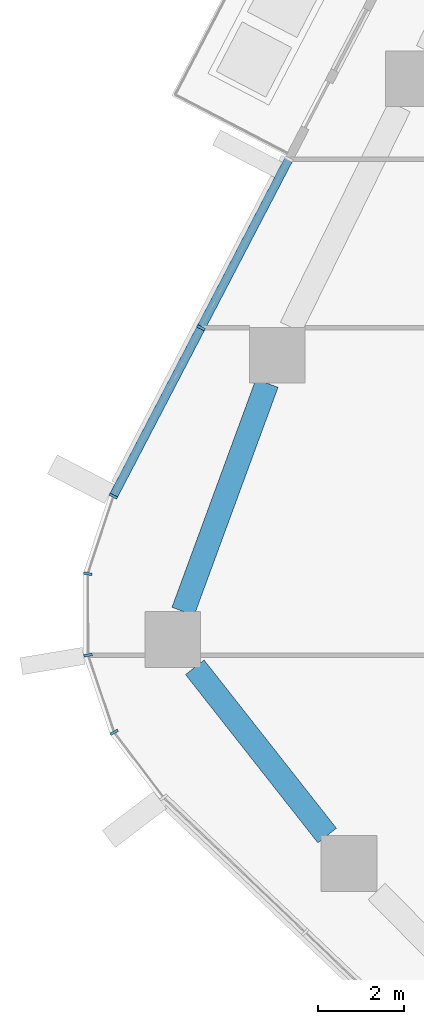
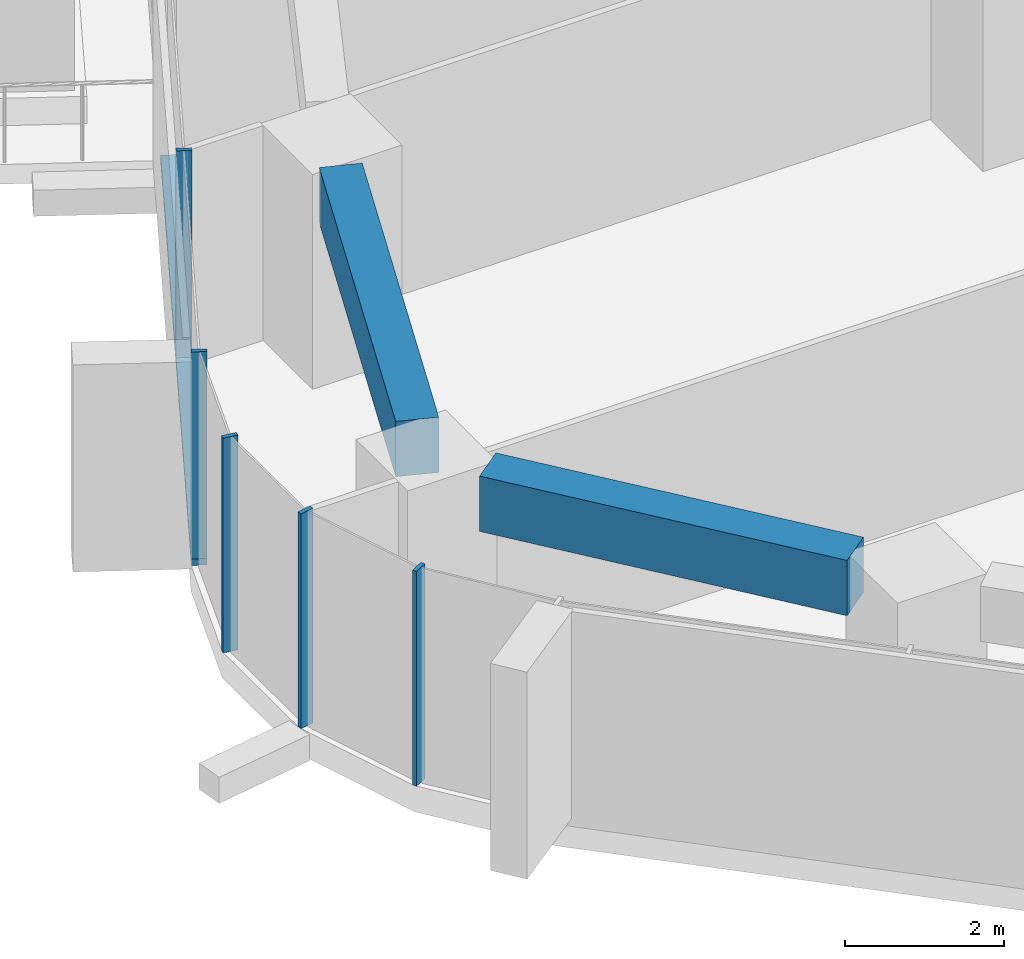
# One storey, part 3 of 23: 6 members, 2 beams, 2 elements without a shape of their own.
"""IFC4 building model written with IfcOpenShell, lengths in metres."""

from ifc_helpers import new_model, si_unit, direction, frame, origin, origin_2d, place, context, subcontext, project, spatial, rectangle, extrude, material, layer, layer_set, material_profile, profile_set, type_object, element, aggregate, save


model = new_model("IFC4")

# Units and contexts
model_context = context("Model", 3, precision=1e-05, world=origin(), true_north=direction((0.0, 1.0)))
body_context = subcontext(model_context, "Body", "Model", "MODEL_VIEW")
ifc_project = project(units=[si_unit("LENGTHUNIT", "METRE"), si_unit("AREAUNIT", "SQUARE_METRE"), si_unit("VOLUMEUNIT", "CUBIC_METRE"), si_unit("PLANEANGLEUNIT", "RADIAN"), si_unit("MASSUNIT", "GRAM", prefix="KILO")], contexts=[model_context])

# Site, building, storey
site_placement = place(None, origin())
site = spatial("IfcSite", under=ifc_project, at=site_placement, CompositionType="ELEMENT")
building_placement = place(site_placement, origin())
building = spatial("IfcBuilding", under=site, at=building_placement, Name="Dongbaek Canopy Tower", CompositionType="ELEMENT")
storey_placement = place(building_placement, frame((0.0, 0.0, 132.199951171875)))
storey = spatial("IfcBuildingStorey", under=building, at=storey_placement, Name="L29", CompositionType="ELEMENT", Elevation=132.199951171875)

# Curtain wall, members
ifc_material_1 = material(Name="Aluminium 6063-T6 pale anodised", Category="aluminium")
ifc_layer = layer(ifc_material_1, 0.199951171875)
ifc_layer_set = layer_set([ifc_layer], Name="CW-1 unitised tower curtain wall")
curtain_wall_type = type_object("IfcCurtainWallType", Name="CW-1 unitised tower curtain wall", PredefinedType="NOTDEFINED", material=ifc_layer_set)
curtain_wall_1_placement = place(storey_placement, origin())
curtain_wall_1 = element("IfcCurtainWall", 1, at=curtain_wall_1_placement, inside=storey, type_object=curtain_wall_type, Name="CW-1 curtain wall F2.1", PredefinedType="NOTDEFINED")
ifc_material_2 = material(Name="Aluminium 6063-T6 pale anodised", Category="aluminium")
ifc_material_profile_1 = material_profile(ifc_material_2, rectangle(XDim=0.199951171875, YDim=0.06005859375, at=origin_2d()), Name="CW-1 mullion 60 x 200")
ifc_profile_set_1 = profile_set([ifc_material_profile_1], Name="Aluminium 6063-T6 pale anodised")
member_type_1 = type_object("IfcMemberType", Name="CW-1 mullion 60 x 200", PredefinedType="MULLION", material=ifc_profile_set_1)
member_1_placement = place(storey_placement, frame((-29.468017578125, 0.722900390625, 0.1201171875), z_axis=(0.0, 0.0, 1.0), x_axis=(-0.886926731215, 0.461910135693, 0.0)))
member_1 = element("IfcMember", 2, at=member_1_placement, type_object=member_type_1, Name="CW-1 mullion F2.1.2", PredefinedType="MULLION", context=body_context, shape_type="SweptSolid", body=[
    extrude(rectangle(XDim=0.199951171875, YDim=0.06005859375, at=origin_2d()), origin(), (0.0, 0.0, 1.0), 3.179931640625),
])
member_2_placement = place(storey_placement, frame((-31.5078125, -3.19384765625, 0.1201171875), z_axis=(0.0, 0.0, 1.0), x_axis=(-0.886926731215, 0.461910135693, 0.0)))
member_2 = element("IfcMember", 3, at=member_2_placement, type_object=member_type_1, Name="CW-1 mullion F2.1.3", PredefinedType="MULLION", context=body_context, shape_type="SweptSolid", body=[
    extrude(rectangle(XDim=0.199951171875, YDim=0.06005859375, at=origin_2d()), origin(), (0.0, 0.0, 1.0), 3.179931640625),
])

curtain_wall_2_placement = place(storey_placement, origin())
curtain_wall_2 = element("IfcCurtainWall", 4, at=curtain_wall_2_placement, inside=storey, type_object=curtain_wall_type, Name="CW-1 curtain wall K3.1", PredefinedType="NOTDEFINED")
member_3_placement = place(storey_placement, frame((-32.1044921875, -5.0009765625, 0.0), z_axis=(0.0, 0.0, 1.0), x_axis=(-0.987615763611, 0.156892012119, 0.0)))
member_3 = element("IfcMember", 5, at=member_3_placement, type_object=member_type_1, Name="CW-1 mullion K3.1.2", PredefinedType="MULLION", context=body_context, shape_type="SweptSolid", body=[
    extrude(rectangle(XDim=0.199951171875, YDim=0.06005859375, at=origin_2d()), origin(), (0.0, 0.0, 1.0), 3.300048828125),
])
member_4_placement = place(storey_placement, frame((-32.09716796875, -6.8955078125, 0.0), z_axis=(0.0, 0.0, 1.0), x_axis=(-0.986408194435, -0.164313340761, 0.0)))
member_4 = element("IfcMember", 6, at=member_4_placement, type_object=member_type_1, Name="CW-1 mullion K3.1.3", PredefinedType="MULLION", context=body_context, shape_type="SweptSolid", body=[
    extrude(rectangle(XDim=0.199951171875, YDim=0.06005859375, at=origin_2d()), origin(), (0.0, 0.0, 1.0), 3.300048828125),
])
member_5_placement = place(storey_placement, frame((-31.48974609375, -8.690185546875, 0.0), z_axis=(0.0, 0.0, 1.0), x_axis=(-0.883428613843, -0.468565773658, 0.0)))
member_5 = element("IfcMember", 7, at=member_5_placement, type_object=member_type_1, Name="CW-1 mullion K3.1.4", PredefinedType="MULLION", context=body_context, shape_type="SweptSolid", body=[
    extrude(rectangle(XDim=0.199951171875, YDim=0.06005859375, at=origin_2d()), origin(), (0.0, 0.0, 1.0), 3.300048828125),
])
aggregate(curtain_wall_2, [member_3, member_4, member_5])

# Member
ifc_material_3 = material(Name="Aluminium 6063-T6 pale anodised", Category="aluminium")
ifc_material_profile_2 = material_profile(ifc_material_3, rectangle(XDim=0.199951171875, YDim=0.1201171875, at=origin_2d()), Name="CW-1 transom 120 x 200")
ifc_profile_set_2 = profile_set([ifc_material_profile_2], Name="Aluminium 6063-T6 pale anodised")
member_type_2 = type_object("IfcMemberType", Name="CW-1 transom 120 x 200", PredefinedType="USERDEFINED", material=ifc_profile_set_2)
member_6_placement = place(storey_placement, frame((-27.42431640625, 4.64697265625, 0.06005859375), z_axis=(-0.461910884915, -0.886926341021, 0.0), x_axis=(0.886926341021, -0.461910884915, 0.0)))
member_6 = element("IfcMember", 8, at=member_6_placement, type_object=member_type_2, Name="CW-1 transom F2.1.1", ObjectType="TRANSOM", PredefinedType="USERDEFINED", context=body_context, shape_type="SweptSolid", body=[
    extrude(rectangle(XDim=0.199951171875, YDim=0.1201171875, at=origin_2d()), origin(), (0.0, 0.0, 1.0), 8.84033203125),
])

aggregate(curtain_wall_1, [member_1, member_2, member_6])

# Beams
ifc_material_4 = material(Name="Concrete C80", Category="concrete")
ifc_material_profile_3 = material_profile(ifc_material_4, rectangle(XDim=0.550048828125, YDim=0.85009765625, at=origin_2d()), Name="RC EDGE BEAM 550x850 C80")
ifc_profile_set_3 = profile_set([ifc_material_profile_3], Name="Concrete C80")
beam_type = type_object("IfcBeamType", Name="RC EDGE BEAM 550x850 C80", PredefinedType="BEAM", material=ifc_profile_set_3)
beam_1_placement = place(storey_placement, frame((-26.532470703125, -11.093017578125, 2.875), z_axis=(-0.618340753303, 0.78591011751, 0.0), x_axis=(-0.78591011751, -0.618340753303, 0.0)))
element("IfcBeam", 9, at=beam_1_placement, inside=storey, type_object=beam_type, Name="EDGEBEAM:L29:07", PredefinedType="BEAM", context=body_context, shape_type="SweptSolid", body=[
    extrude(rectangle(XDim=0.550048828125, YDim=0.85009765625, at=origin_2d()), origin(), (0.0, 0.0, 1.0), 4.982666015625),
])
beam_2_placement = place(storey_placement, frame((-29.8857421875, -5.876953125, 2.875), z_axis=(0.345281407117, 0.938499200799, 0.0), x_axis=(-0.938499200799, 0.345281407117, 0.0)))
element("IfcBeam", 10, at=beam_2_placement, inside=storey, type_object=beam_type, Name="EDGEBEAM:L29:08", PredefinedType="BEAM", context=body_context, shape_type="SweptSolid", body=[
    extrude(rectangle(XDim=0.550048828125, YDim=0.85009765625, at=origin_2d()), origin(), (0.0, 0.0, 1.0), 5.657958984375),
])

save(model, "model.ifc")
